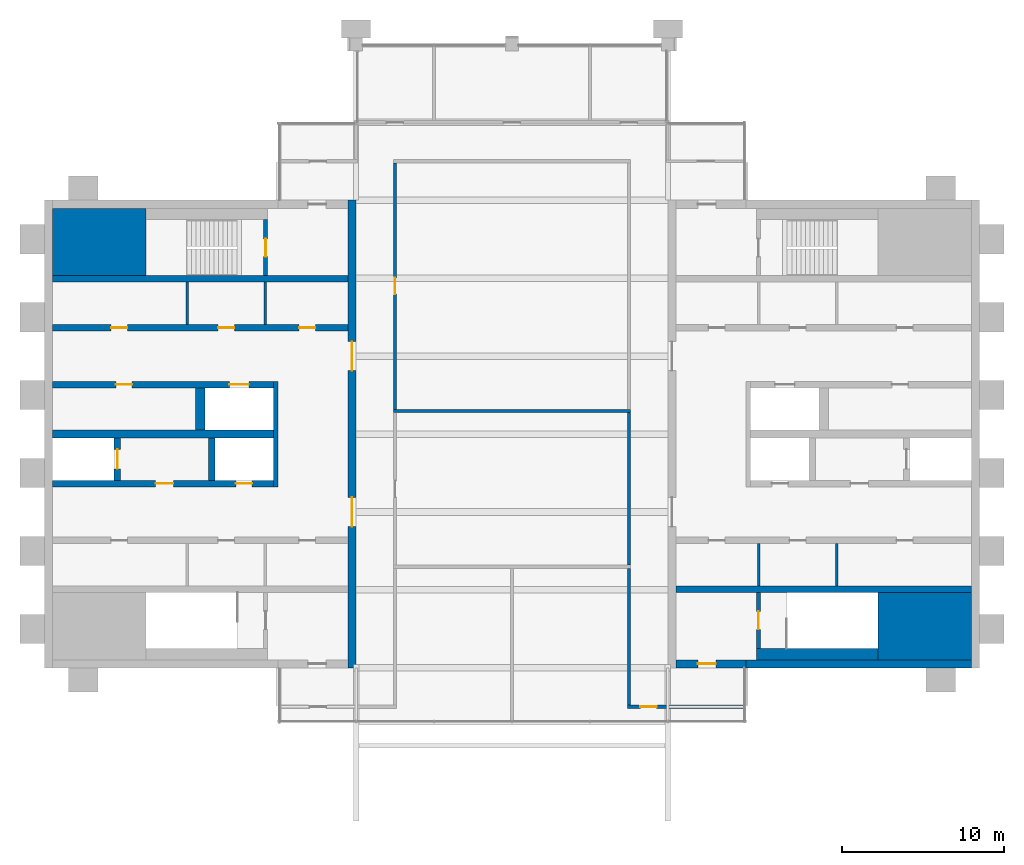
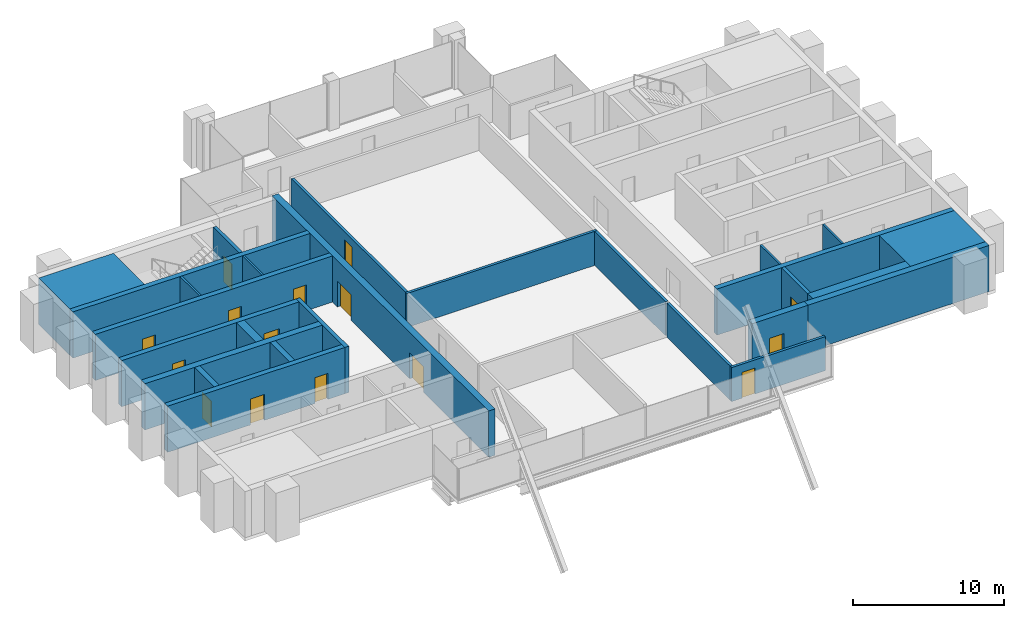
# One storey, part 8 of 11: 27 walls, 15 doors, 15 openings.
"""IFC4 building model written with IfcOpenShell, lengths in metres."""

from ifc_helpers import new_model, si_unit, direction, frame, frame_2d, origin, place, context, subcontext, project, spatial, rectangle, extrude, material, layer, layer_set, type_object, element, fill, save


model = new_model("IFC4")

# Units and contexts
model_context = context("Model", 3, precision=1e-05, world=origin(), true_north=direction((0.0, 1.0)))
body_context = subcontext(model_context, "Body", "Model", "MODEL_VIEW")
ifc_project = project(units=[si_unit("LENGTHUNIT", "METRE"), si_unit("AREAUNIT", "SQUARE_METRE"), si_unit("VOLUMEUNIT", "CUBIC_METRE"), si_unit("PLANEANGLEUNIT", "RADIAN"), si_unit("MASSUNIT", "GRAM", prefix="KILO")], contexts=[model_context])

# Site, building, storey
site_placement = place(None, origin())
site = spatial("IfcSite", under=ifc_project, at=site_placement, CompositionType="ELEMENT")
building_placement = place(site_placement, origin())
building = spatial("IfcBuilding", under=site, at=building_placement, Name="Baori Bourse Tower", CompositionType="ELEMENT")
storey_placement = place(building_placement, frame((0.0, 0.0, 366.300048828125)))
storey = spatial("IfcBuildingStorey", under=building, at=storey_placement, Name="L82", CompositionType="ELEMENT", Elevation=366.300048828125)

# Walls
ifc_material_1 = material(Name="Concrete f'c 40 MPa", Category="concrete")
wall_type_1 = type_object("IfcWallType", Name="Core corner block f'c 40", PredefinedType="SHEAR", material=ifc_material_1)
for number, where, z_axis, x_axis, name in (
    (1, (0.5, 35.824951171875, 0.0), (0.0, 0.0, 1.0), (1.0, 0.0, 0.0), "Core wall W23"),
    (2, (51.35009765625, 12.175048828125, 0.0), (0.0, 0.0, 1.0), (1.0, 0.0, 0.0), "Core wall E05"),
):
    element("IfcWall", number, at=place(storey_placement, frame(where, z_axis=z_axis, x_axis=x_axis)), inside=storey, type_object=wall_type_1, Name=name, PredefinedType="SHEAR", context=body_context, shape_type="SweptSolid", body=[
        extrude(rectangle(XDim=5.75, YDim=4.14990234375, at=frame_2d((2.875, 0.0))), origin(), (0.0, 0.0, 1.0), 3.75),
    ])
ifc_material_2 = material(Name="Blockwork partition", Category="masonry")
ifc_layer_1 = layer(ifc_material_2, 0.14990234375)
ifc_layer_set_1 = layer_set([ifc_layer_1], Name="Core partition 150")
wall_type_2 = type_object("IfcWallType", Name="Core partition 150", PredefinedType="PARTITIONING", material=ifc_layer_set_1)
for number, where, z_axis, x_axis, name in (
    (3, (8.800048828125, 30.75, 0.0), (0.0, 0.0, 1.0), (0.0, 1.0, 0.0), "Partition wall W20"),
    (4, (13.60009765625, 30.75, 0.0), (0.0, 0.0, 1.0), (0.0, 1.0, 0.0), "Partition wall W21"),
    (5, (48.800048828125, 14.64990234375, 0.0), (0.0, 0.0, 1.0), (0.0, 1.0, 0.0), "Partition wall E09"),
    (6, (44.0, 14.64990234375, 0.0), (0.0, 0.0, 1.0), (0.0, 1.0, 0.0), "Partition wall E10"),
):
    element("IfcWall", number, at=place(storey_placement, frame(where, z_axis=z_axis, x_axis=x_axis)), inside=storey, type_object=wall_type_2, Name=name, PredefinedType="PARTITIONING", context=body_context, shape_type="SweptSolid", body=[
        extrude(rectangle(XDim=2.60009765625, YDim=0.14990234375, at=frame_2d((1.300048828125, 0.0))), origin(), (0.0, 0.0, 1.0), 3.75),
    ])

# Wall, openings, doors
ifc_material_3 = material(Name="Concrete f'c 40 MPa", Category="concrete")
ifc_layer_2 = layer(ifc_material_3, 0.5)
ifc_layer_set_2 = layer_set([ifc_layer_2], Name="Core wall 500 f'c 40")
wall_type_3 = type_object("IfcWallType", Name="Core wall 500 f'c 40", PredefinedType="SHEAR", material=ifc_layer_set_2)
wall_1_placement = place(storey_placement, frame((18.949951171875, 38.39990234375, 0.0), z_axis=(0.0, 0.0, 1.0), x_axis=(0.0, -1.0, 0.0)))
wall_1 = element("IfcWall", 7, at=wall_1_placement, inside=storey, type_object=wall_type_3, Name="Core wall W04", PredefinedType="SHEAR", context=body_context, shape_type="SweptSolid", body=[
    extrude(rectangle(XDim=28.7998046875, YDim=0.5, at=frame_2d((14.39990234375, 0.0))), origin(), (0.0, 0.0, 1.0), 3.75),
])
opening_1_placement = place(wall_1_placement, frame((18.300048828125, 0.0, 0.0)))
opening_1 = element("IfcOpeningElement", 8, at=opening_1_placement, cuts=wall_1, Name="Opening L82-D107", PredefinedType="OPENING", context=body_context, shape_type="SweptSolid", body=[
    extrude(rectangle(XDim=1.800048828125, YDim=2.10009765625, at=frame_2d((0.89990234375, 1.050048828125))), frame((0.0, 0.260009765625, 0.0), z_axis=(0.0, -1.0, 0.0), x_axis=(1.0, 0.0, 0.0)), (0.0, 0.0, 1.0), 0.52001953125),
])
opening_2_placement = place(wall_1_placement, frame((8.699951171875, 0.0, 0.0)))
opening_2 = element("IfcOpeningElement", 9, at=opening_2_placement, cuts=wall_1, Name="Opening L82-D108", PredefinedType="OPENING", context=body_context, shape_type="SweptSolid", body=[
    extrude(rectangle(XDim=1.800048828125, YDim=2.10009765625, at=frame_2d((0.89990234375, 1.050048828125))), frame((0.0, 0.260009765625, 0.0), z_axis=(0.0, -1.0, 0.0), x_axis=(1.0, 0.0, 0.0)), (0.0, 0.0, 1.0), 0.52001953125),
])
ifc_material_4 = material(Name="Painted steel door", Category="steel")
door_type_1 = type_object("IfcDoorType", Name="Core lobby door 1800", OperationType="DOUBLE_DOOR_SINGLE_SWING", PredefinedType="DOOR", material=ifc_material_4)
door_1_placement = place(opening_1_placement, origin())
door_1 = element("IfcDoor", 10, at=door_1_placement, inside=storey, type_object=door_type_1, Name="Lobby door W L82", OperationType="DOUBLE_DOOR_SINGLE_SWING", OverallHeight=2.10009765625, OverallWidth=1.800048828125, PredefinedType="DOOR", context=body_context, shape_type="SweptSolid", body=[
    extrude(rectangle(XDim=1.800048828125, YDim=2.10009765625, at=frame_2d((0.89990234375, 1.050048828125))), frame((0.0, 0.02490234375, 0.0), z_axis=(0.0, -1.0, 0.0), x_axis=(1.0, 0.0, 0.0)), (0.0, 0.0, 1.0), 0.050048828125),
])
fill(opening_1, door_1)
door_2_placement = place(opening_2_placement, origin())
door_2 = element("IfcDoor", 11, at=door_2_placement, inside=storey, type_object=door_type_1, Name="Lobby door W L82", OperationType="DOUBLE_DOOR_SINGLE_SWING", OverallHeight=2.10009765625, OverallWidth=1.800048828125, PredefinedType="DOOR", context=body_context, shape_type="SweptSolid", body=[
    extrude(rectangle(XDim=1.800048828125, YDim=2.10009765625, at=frame_2d((0.89990234375, 1.050048828125))), frame((0.0, 0.02490234375, 0.0), z_axis=(0.0, -1.0, 0.0), x_axis=(1.0, 0.0, 0.0)), (0.0, 0.0, 1.0), 0.050048828125),
])
fill(opening_2, door_2)

# Wall
wall_2_placement = place(storey_placement, frame((57.10009765625, 9.85009765625, 0.0), z_axis=(0.0, 0.0, 1.0), x_axis=(-1.0, 0.0, 0.0)))
element("IfcWall", 12, at=wall_2_placement, inside=storey, type_object=wall_type_3, Name="Core wall E02", PredefinedType="SHEAR", context=body_context, shape_type="SweptSolid", body=[
    extrude(rectangle(XDim=13.900146484375, YDim=0.5, at=frame_2d((6.9501953125, 0.0))), origin(), (0.0, 0.0, 1.0), 3.75),
])

# Wall, opening, door
wall_3_placement = place(storey_placement, frame((43.199951171875, 9.85009765625, 0.0), z_axis=(0.0, 0.0, 1.0), x_axis=(-1.0, 0.0, 0.0)))
wall_3 = element("IfcWall", 13, at=wall_3_placement, inside=storey, type_object=wall_type_3, Name="Core wall E03", PredefinedType="SHEAR", context=body_context, shape_type="SweptSolid", body=[
    extrude(rectangle(XDim=4.300048828125, YDim=0.5, at=frame_2d((2.14990234375, 0.0))), origin(), (0.0, 0.0, 1.0), 3.75),
])
opening_3_placement = place(wall_3_placement, frame((1.85009765625, 0.0, 0.0)))
opening_3 = element("IfcOpeningElement", 14, at=opening_3_placement, cuts=wall_3, Name="Opening L82-D202", PredefinedType="OPENING", context=body_context, shape_type="SweptSolid", body=[
    extrude(rectangle(XDim=1.10009765625, YDim=2.10009765625, at=frame_2d((0.550048828125, 1.050048828125))), frame((0.0, 0.260009765625, 0.0), z_axis=(0.0, -1.0, 0.0), x_axis=(1.0, 0.0, 0.0)), (0.0, 0.0, 1.0), 0.52001953125),
])
ifc_material_5 = material(Name="Painted steel door", Category="steel")
door_type_2 = type_object("IfcDoorType", Name="Stair door 1100", OperationType="SINGLE_SWING_LEFT", PredefinedType="DOOR", material=ifc_material_5)
door_3_placement = place(opening_3_placement, origin())
door_3 = element("IfcDoor", 15, at=door_3_placement, inside=storey, type_object=door_type_2, Name="Stair vestibule door A E L82", OperationType="SINGLE_SWING_LEFT", OverallHeight=2.10009765625, OverallWidth=1.10009765625, PredefinedType="DOOR", context=body_context, shape_type="SweptSolid", body=[
    extrude(rectangle(XDim=1.10009765625, YDim=2.10009765625, at=frame_2d((0.550048828125, 1.050048828125))), frame((0.0, 0.02490234375, 0.0), z_axis=(0.0, -1.0, 0.0), x_axis=(1.0, 0.0, 0.0)), (0.0, 0.0, 1.0), 0.050048828125),
])
fill(opening_3, door_3)

ifc_material_6 = material(Name="Gypsum board partition")
ifc_layer_3 = layer(ifc_material_6, 0.199951171875)
ifc_layer_set_3 = layer_set([ifc_layer_3], Name="Plant room wall 200")
wall_type_4 = type_object("IfcWallType", Name="Plant room wall 200", PredefinedType="PARTITIONING", material=ifc_layer_set_3)
wall_4_placement = place(storey_placement, frame((35.89990234375, 7.199951171875, 0.0), z_axis=(0.0, 0.0, 1.0), x_axis=(1.0, 0.0, 0.0)))
wall_4 = element("IfcWall", 16, at=wall_4_placement, inside=storey, type_object=wall_type_4, Name="Partition", PredefinedType="PARTITIONING", context=body_context, shape_type="SweptSolid", body=[
    extrude(rectangle(XDim=7.2001953125, YDim=0.199951171875, at=frame_2d((3.60009765625, 0.0))), origin(), (0.0, 0.0, 1.0), 2.75927734375),
])
opening_4_placement = place(wall_4_placement, frame((0.800048828125, 0.0, 0.0)))
opening_4 = element("IfcOpeningElement", 17, at=opening_4_placement, cuts=wall_4, Name="Opening L82-D02", PredefinedType="OPENING", context=body_context, shape_type="SweptSolid", body=[
    extrude(rectangle(XDim=1.0, YDim=2.10009765625, at=frame_2d((0.5, 1.050048828125))), frame((0.0, 0.10986328125, 0.0), z_axis=(0.0, -1.0, 0.0), x_axis=(1.0, 0.0, 0.0)), (0.0, 0.0, 1.0), 0.219970703125),
])
ifc_material_7 = material(Name="Timber door leaf", Category="wood")
door_type_3 = type_object("IfcDoorType", Name="Door 1000 x 2100", OperationType="SINGLE_SWING_LEFT", PredefinedType="DOOR", material=ifc_material_7)
door_4_placement = place(opening_4_placement, origin())
door_4 = element("IfcDoor", 18, at=door_4_placement, inside=storey, type_object=door_type_3, Name="Door", OperationType="SINGLE_SWING_RIGHT", OverallHeight=2.10009765625, OverallWidth=1.0, PredefinedType="DOOR", context=body_context, shape_type="SweptSolid", body=[
    extrude(rectangle(XDim=1.0, YDim=2.10009765625, at=frame_2d((0.5, 1.050048828125))), frame((0.0, 0.02490234375, 0.0), z_axis=(0.0, -1.0, 0.0), x_axis=(1.0, 0.0, 0.0)), (0.0, 0.0, 1.0), 0.050048828125),
])
fill(opening_4, door_4)

# Wall
wall_5_placement = place(storey_placement, frame((21.5, 25.422119140625, 0.0), z_axis=(0.0, 0.0, 1.0), x_axis=(1.0, 0.0, 0.0)))
element("IfcWall", 19, at=wall_5_placement, inside=storey, type_object=wall_type_4, Name="Partition", PredefinedType="PARTITIONING", context=body_context, shape_type="SweptSolid", body=[
    extrude(rectangle(XDim=14.60009765625, YDim=0.199951171875, at=frame_2d((7.300048828125, 0.0))), origin(), (0.0, 0.0, 1.0), 2.75927734375),
])

# Wall, opening, door
wall_6_placement = place(storey_placement, frame((21.60009765625, 25.522216796875, 0.0), z_axis=(0.0, 0.0, 1.0), x_axis=(0.0, 1.0, 0.0)))
wall_6 = element("IfcWall", 20, at=wall_6_placement, inside=storey, type_object=wall_type_4, Name="Partition", PredefinedType="PARTITIONING", context=body_context, shape_type="SweptSolid", body=[
    extrude(rectangle(XDim=15.177734375, YDim=0.199951171875, at=frame_2d((7.5888671875, 0.0))), origin(), (0.0, 0.0, 1.0), 2.75927734375),
])
opening_5_placement = place(wall_6_placement, frame((7.0888671875, 0.0, 0.0)))
opening_5 = element("IfcOpeningElement", 21, at=opening_5_placement, cuts=wall_6, Name="Opening L82-D09", PredefinedType="OPENING", context=body_context, shape_type="SweptSolid", body=[
    extrude(rectangle(XDim=1.0, YDim=2.10009765625, at=frame_2d((0.5, 1.050048828125))), frame((0.0, 0.10986328125, 0.0), z_axis=(0.0, -1.0, 0.0), x_axis=(1.0, 0.0, 0.0)), (0.0, 0.0, 1.0), 0.219970703125),
])
door_5_placement = place(opening_5_placement, origin())
door_5 = element("IfcDoor", 22, at=door_5_placement, inside=storey, type_object=door_type_3, Name="Door", OperationType="SINGLE_SWING_LEFT", OverallHeight=2.10009765625, OverallWidth=1.0, PredefinedType="DOOR", context=body_context, shape_type="SweptSolid", body=[
    extrude(rectangle(XDim=1.0, YDim=2.10009765625, at=frame_2d((0.5, 1.050048828125))), frame((0.0, 0.02490234375, 0.0), z_axis=(0.0, -1.0, 0.0), x_axis=(1.0, 0.0, 0.0)), (0.0, 0.0, 1.0), 0.050048828125),
])
fill(opening_5, door_5)

# Walls
wall_7_placement = place(storey_placement, frame((36.0, 7.300048828125, 0.0), z_axis=(0.0, 0.0, 1.0), x_axis=(0.0, 1.0, 0.0)))
element("IfcWall", 23, at=wall_7_placement, inside=storey, type_object=wall_type_4, Name="Partition", PredefinedType="PARTITIONING", context=body_context, shape_type="SweptSolid", body=[
    extrude(rectangle(XDim=8.422119140625, YDim=0.199951171875, at=frame_2d((4.2109375, 0.0))), origin(), (0.0, 0.0, 1.0), 2.75927734375),
])
wall_8_placement = place(storey_placement, frame((36.0, 15.922119140625, 0.0), z_axis=(0.0, 0.0, 1.0), x_axis=(0.0, 1.0, 0.0)))
element("IfcWall", 24, at=wall_8_placement, inside=storey, type_object=wall_type_4, Name="Partition", PredefinedType="PARTITIONING", context=body_context, shape_type="SweptSolid", body=[
    extrude(rectangle(XDim=9.400146484375, YDim=0.199951171875, at=frame_2d((4.7001953125, 0.0))), origin(), (0.0, 0.0, 1.0), 2.75927734375),
])

# Wall, opening, door
ifc_material_8 = material(Name="Concrete f'c 40 MPa", Category="concrete")
ifc_layer_4 = layer(ifc_material_8, 0.25)
ifc_layer_set_4 = layer_set([ifc_layer_4], Name="Shaft wall 250 f'c 40")
wall_type_5 = type_object("IfcWallType", Name="Shaft wall 250 f'c 40", PredefinedType="SHEAR", material=ifc_layer_set_4)
wall_9_placement = place(storey_placement, frame((13.625, 33.75, 0.0), z_axis=(0.0, 0.0, 1.0), x_axis=(0.0, 1.0, 0.0)))
wall_9 = element("IfcWall", 25, at=wall_9_placement, inside=storey, type_object=wall_type_5, Name="Core wall W24", PredefinedType="SHEAR", context=body_context, shape_type="SweptSolid", body=[
    extrude(rectangle(XDim=3.449951171875, YDim=0.25, at=frame_2d((1.72509765625, 0.0))), origin(), (0.0, 0.0, 1.0), 3.75),
])
opening_6_placement = place(wall_9_placement, frame((1.175048828125, 0.0, 0.0)))
opening_6 = element("IfcOpeningElement", 26, at=opening_6_placement, cuts=wall_9, Name="Opening L82-D103", PredefinedType="OPENING", context=body_context, shape_type="SweptSolid", body=[
    extrude(rectangle(XDim=1.10009765625, YDim=2.10009765625, at=frame_2d((0.550048828125, 1.050048828125))), frame((0.0, 0.135009765625, 0.0), z_axis=(0.0, -1.0, 0.0), x_axis=(1.0, 0.0, 0.0)), (0.0, 0.0, 1.0), 0.27001953125),
])
door_6_placement = place(opening_6_placement, origin())
door_6 = element("IfcDoor", 27, at=door_6_placement, inside=storey, type_object=door_type_2, Name="Stair door B W L82", OperationType="SINGLE_SWING_LEFT", OverallHeight=2.10009765625, OverallWidth=1.10009765625, PredefinedType="DOOR", context=body_context, shape_type="SweptSolid", body=[
    extrude(rectangle(XDim=1.10009765625, YDim=2.10009765625, at=frame_2d((0.550048828125, 1.050048828125))), frame((0.0, 0.02490234375, 0.0), z_axis=(0.0, -1.0, 0.0), x_axis=(1.0, 0.0, 0.0)), (0.0, 0.0, 1.0), 0.050048828125),
])
fill(opening_6, door_6)

wall_10_placement = place(storey_placement, frame((43.97509765625, 10.800048828125, 0.0), z_axis=(0.0, 0.0, 1.0), x_axis=(0.0, 1.0, 0.0)))
wall_10 = element("IfcWall", 28, at=wall_10_placement, inside=storey, type_object=wall_type_5, Name="Core wall E07", PredefinedType="SHEAR", context=body_context, shape_type="SweptSolid", body=[
    extrude(rectangle(XDim=3.449951171875, YDim=0.25, at=frame_2d((1.72509765625, 0.0))), origin(), (0.0, 0.0, 1.0), 3.75),
])
opening_7_placement = place(wall_10_placement, frame((1.175048828125, 0.0, 0.0)))
opening_7 = element("IfcOpeningElement", 29, at=opening_7_placement, cuts=wall_10, Name="Opening L82-D201", PredefinedType="OPENING", context=body_context, shape_type="SweptSolid", body=[
    extrude(rectangle(XDim=1.10009765625, YDim=2.10009765625, at=frame_2d((0.550048828125, 1.050048828125))), frame((0.0, 0.135009765625, 0.0), z_axis=(0.0, -1.0, 0.0), x_axis=(1.0, 0.0, 0.0)), (0.0, 0.0, 1.0), 0.27001953125),
])
door_7_placement = place(opening_7_placement, origin())
door_7 = element("IfcDoor", 30, at=door_7_placement, inside=storey, type_object=door_type_2, Name="Stair door A E L82", OperationType="SINGLE_SWING_LEFT", OverallHeight=2.10009765625, OverallWidth=1.10009765625, PredefinedType="DOOR", context=body_context, shape_type="SweptSolid", body=[
    extrude(rectangle(XDim=1.10009765625, YDim=2.10009765625, at=frame_2d((0.550048828125, 1.050048828125))), frame((0.0, 0.02490234375, 0.0), z_axis=(0.0, -1.0, 0.0), x_axis=(1.0, 0.0, 0.0)), (0.0, 0.0, 1.0), 0.050048828125),
])
fill(opening_7, door_7)

# Wall
ifc_material_9 = material(Name="Concrete f'c 40 MPa", Category="concrete")
ifc_layer_5 = layer(ifc_material_9, 0.300048828125)
ifc_layer_set_5 = layer_set([ifc_layer_5], Name="Shaft wall 300 f'c 40")
wall_type_6 = type_object("IfcWallType", Name="Shaft wall 300 f'c 40", PredefinedType="SHEAR", material=ifc_layer_set_5)
wall_11_placement = place(storey_placement, frame((14.25, 20.75, 0.0), z_axis=(0.0, 0.0, 1.0), x_axis=(0.0, 1.0, 0.0)))
element("IfcWall", 31, at=wall_11_placement, inside=storey, type_object=wall_type_6, Name="Core wall W13", PredefinedType="SHEAR", context=body_context, shape_type="SweptSolid", body=[
    extrude(rectangle(XDim=6.5, YDim=0.300048828125, at=frame_2d((3.25, 0.0))), origin(), (0.0, 0.0, 1.0), 3.75),
])

# Wall, openings, doors
ifc_material_10 = material(Name="Concrete f'c 40 MPa", Category="concrete")
ifc_layer_6 = layer(ifc_material_10, 0.39990234375)
ifc_layer_set_6 = layer_set([ifc_layer_6], Name="Shaft wall 400 f'c 40")
wall_type_7 = type_object("IfcWallType", Name="Shaft wall 400 f'c 40", PredefinedType="SHEAR", material=ifc_layer_set_6)
wall_12_placement = place(storey_placement, frame((0.5, 20.949951171875, 0.0), z_axis=(0.0, 0.0, 1.0), x_axis=(1.0, 0.0, 0.0)))
wall_12 = element("IfcWall", 32, at=wall_12_placement, inside=storey, type_object=wall_type_7, Name="Core wall W12", PredefinedType="SHEAR", context=body_context, shape_type="SweptSolid", body=[
    extrude(rectangle(XDim=13.60009765625, YDim=0.39990234375, at=frame_2d((6.800048828125, 0.0))), origin(), (0.0, 0.0, 1.0), 3.75),
])
opening_8_placement = place(wall_12_placement, frame((6.35009765625, 0.0, 0.0)))
opening_8 = element("IfcOpeningElement", 33, at=opening_8_placement, cuts=wall_12, Name="Opening L82-D105", PredefinedType="OPENING", context=body_context, shape_type="SweptSolid", body=[
    extrude(rectangle(XDim=1.10009765625, YDim=2.10009765625, at=frame_2d((0.550048828125, 1.050048828125))), frame((0.0, 0.2099609375, 0.0), z_axis=(0.0, -1.0, 0.0), x_axis=(1.0, 0.0, 0.0)), (0.0, 0.0, 1.0), 0.419921875),
])
opening_9_placement = place(wall_12_placement, frame((11.300048828125, 0.0, 0.0)))
opening_9 = element("IfcOpeningElement", 34, at=opening_9_placement, cuts=wall_12, Name="Opening L82-D106", PredefinedType="OPENING", context=body_context, shape_type="SweptSolid", body=[
    extrude(rectangle(XDim=1.0, YDim=2.10009765625, at=frame_2d((0.5, 1.050048828125))), frame((0.0, 0.2099609375, 0.0), z_axis=(0.0, -1.0, 0.0), x_axis=(1.0, 0.0, 0.0)), (0.0, 0.0, 1.0), 0.419921875),
])
ifc_material_11 = material(Name="Painted steel door", Category="steel")
door_type_4 = type_object("IfcDoorType", Name="Lobby door 1100", OperationType="SINGLE_SWING_LEFT", PredefinedType="DOOR", material=ifc_material_11)
door_8_placement = place(opening_8_placement, origin())
door_8 = element("IfcDoor", 35, at=door_8_placement, inside=storey, type_object=door_type_4, Name="Firefighting lobby door W L82", OperationType="SINGLE_SWING_LEFT", OverallHeight=2.10009765625, OverallWidth=1.10009765625, PredefinedType="DOOR", context=body_context, shape_type="SweptSolid", body=[
    extrude(rectangle(XDim=1.10009765625, YDim=2.10009765625, at=frame_2d((0.550048828125, 1.050048828125))), frame((0.0, 0.02490234375, 0.0), z_axis=(0.0, -1.0, 0.0), x_axis=(1.0, 0.0, 0.0)), (0.0, 0.0, 1.0), 0.050048828125),
])
fill(opening_8, door_8)
ifc_material_12 = material(Name="Painted steel door", Category="steel")
door_type_5 = type_object("IfcDoorType", Name="Shaft door 1000", OperationType="SINGLE_SWING_LEFT", PredefinedType="DOOR", material=ifc_material_12)
door_9_placement = place(opening_9_placement, origin())
door_9 = element("IfcDoor", 36, at=door_9_placement, inside=storey, type_object=door_type_5, Name="Riser room door W L82", OperationType="SINGLE_SWING_LEFT", OverallHeight=2.10009765625, OverallWidth=1.0, PredefinedType="DOOR", context=body_context, shape_type="SweptSolid", body=[
    extrude(rectangle(XDim=1.0, YDim=2.10009765625, at=frame_2d((0.5, 1.050048828125))), frame((0.0, 0.02490234375, 0.0), z_axis=(0.0, -1.0, 0.0), x_axis=(1.0, 0.0, 0.0)), (0.0, 0.0, 1.0), 0.050048828125),
])
fill(opening_9, door_9)

# Wall, opening, door
wall_13_placement = place(storey_placement, frame((4.5, 21.14990234375, 0.0), z_axis=(0.0, 0.0, 1.0), x_axis=(0.0, 1.0, 0.0)))
wall_13 = element("IfcWall", 37, at=wall_13_placement, inside=storey, type_object=wall_type_7, Name="Core wall W14", PredefinedType="SHEAR", context=body_context, shape_type="SweptSolid", body=[
    extrude(rectangle(XDim=2.60009765625, YDim=0.39990234375, at=frame_2d((1.300048828125, 0.0))), origin(), (0.0, 0.0, 1.0), 3.75),
])
opening_10_placement = place(wall_13_placement, frame((0.699951171875, 0.0, 0.0)))
opening_10 = element("IfcOpeningElement", 38, at=opening_10_placement, cuts=wall_13, Name="Opening L82-D117", PredefinedType="OPENING", context=body_context, shape_type="SweptSolid", body=[
    extrude(rectangle(XDim=1.199951171875, YDim=2.10009765625, at=frame_2d((0.60009765625, 1.050048828125))), frame((0.0, 0.2099609375, 0.0), z_axis=(0.0, -1.0, 0.0), x_axis=(1.0, 0.0, 0.0)), (0.0, 0.0, 1.0), 0.419921875),
])
ifc_material_13 = material(Name="Stainless steel door", Category="steel")
door_type_6 = type_object("IfcDoorType", Name="Lift landing door", OperationType="DOUBLE_DOOR_SLIDING", PredefinedType="DOOR", material=ifc_material_13)
door_10_placement = place(opening_10_placement, origin())
door_10 = element("IfcDoor", 39, at=door_10_placement, inside=storey, type_object=door_type_6, Name="Lift landing door FF1 W L82", OperationType="DOUBLE_DOOR_SLIDING", OverallHeight=2.10009765625, OverallWidth=1.199951171875, PredefinedType="DOOR", context=body_context, shape_type="SweptSolid", body=[
    extrude(rectangle(XDim=1.199951171875, YDim=2.10009765625, at=frame_2d((0.60009765625, 1.050048828125))), frame((0.0, 0.02490234375, 0.0), z_axis=(0.0, -1.0, 0.0), x_axis=(1.0, 0.0, 0.0)), (0.0, 0.0, 1.0), 0.050048828125),
])
fill(opening_10, door_10)

# Wall
wall_14_placement = place(storey_placement, frame((10.300048828125, 21.14990234375, 0.0), z_axis=(0.0, 0.0, 1.0), x_axis=(0.0, 1.0, 0.0)))
element("IfcWall", 40, at=wall_14_placement, inside=storey, type_object=wall_type_7, Name="Core wall W15", PredefinedType="SHEAR", context=body_context, shape_type="SweptSolid", body=[
    extrude(rectangle(XDim=2.60009765625, YDim=0.39990234375, at=frame_2d((1.300048828125, 0.0))), origin(), (0.0, 0.0, 1.0), 3.75),
])

# Wall, openings, doors
wall_15_placement = place(storey_placement, frame((0.5, 27.050048828125, 0.0), z_axis=(0.0, 0.0, 1.0), x_axis=(1.0, 0.0, 0.0)))
wall_15 = element("IfcWall", 41, at=wall_15_placement, inside=storey, type_object=wall_type_7, Name="Core wall W18", PredefinedType="SHEAR", context=body_context, shape_type="SweptSolid", body=[
    extrude(rectangle(XDim=13.60009765625, YDim=0.39990234375, at=frame_2d((6.800048828125, 0.0))), origin(), (0.0, 0.0, 1.0), 3.75),
])
opening_11_placement = place(wall_15_placement, frame((3.89990234375, 0.0, 0.0)))
opening_11 = element("IfcOpeningElement", 42, at=opening_11_placement, cuts=wall_15, Name="Opening L82-D115", PredefinedType="OPENING", context=body_context, shape_type="SweptSolid", body=[
    extrude(rectangle(XDim=1.0, YDim=2.10009765625, at=frame_2d((0.5, 1.050048828125))), frame((0.0, 0.2099609375, 0.0), z_axis=(0.0, -1.0, 0.0), x_axis=(1.0, 0.0, 0.0)), (0.0, 0.0, 1.0), 0.419921875),
])
opening_12_placement = place(wall_15_placement, frame((10.89990234375, 0.0, 0.0)))
opening_12 = element("IfcOpeningElement", 43, at=opening_12_placement, cuts=wall_15, Name="Opening L82-D116", PredefinedType="OPENING", context=body_context, shape_type="SweptSolid", body=[
    extrude(rectangle(XDim=1.199951171875, YDim=2.10009765625, at=frame_2d((0.60009765625, 1.050048828125))), frame((0.0, 0.2099609375, 0.0), z_axis=(0.0, -1.0, 0.0), x_axis=(1.0, 0.0, 0.0)), (0.0, 0.0, 1.0), 0.419921875),
])
door_11_placement = place(opening_12_placement, origin())
door_11 = element("IfcDoor", 44, at=door_11_placement, inside=storey, type_object=door_type_6, Name="Lift landing door SV1 W L82", OperationType="DOUBLE_DOOR_SLIDING", OverallHeight=2.10009765625, OverallWidth=1.199951171875, PredefinedType="DOOR", context=body_context, shape_type="SweptSolid", body=[
    extrude(rectangle(XDim=1.199951171875, YDim=2.10009765625, at=frame_2d((0.60009765625, 1.050048828125))), frame((0.0, 0.02490234375, 0.0), z_axis=(0.0, -1.0, 0.0), x_axis=(1.0, 0.0, 0.0)), (0.0, 0.0, 1.0), 0.050048828125),
])
fill(opening_12, door_11)
ifc_material_14 = material(Name="Painted steel door", Category="steel")
door_type_7 = type_object("IfcDoorType", Name="Plant room door 1000", OperationType="SINGLE_SWING_LEFT", PredefinedType="DOOR", material=ifc_material_14)
door_12_placement = place(opening_11_placement, origin())
door_12 = element("IfcDoor", 45, at=door_12_placement, inside=storey, type_object=door_type_7, Name="Plant Room door W L82", OperationType="SINGLE_SWING_LEFT", OverallHeight=2.10009765625, OverallWidth=1.0, PredefinedType="DOOR", context=body_context, shape_type="SweptSolid", body=[
    extrude(rectangle(XDim=1.0, YDim=2.10009765625, at=frame_2d((0.5, 1.050048828125))), frame((0.0, 0.02490234375, 0.0), z_axis=(0.0, -1.0, 0.0), x_axis=(1.0, 0.0, 0.0)), (0.0, 0.0, 1.0), 0.050048828125),
])
fill(opening_11, door_12)

wall_16_placement = place(storey_placement, frame((0.5, 30.550048828125, 0.0), z_axis=(0.0, 0.0, 1.0), x_axis=(1.0, 0.0, 0.0)))
wall_16 = element("IfcWall", 46, at=wall_16_placement, inside=storey, type_object=wall_type_7, Name="Core wall W19", PredefinedType="SHEAR", context=body_context, shape_type="SweptSolid", body=[
    extrude(rectangle(XDim=18.199951171875, YDim=0.39990234375, at=frame_2d((9.10009765625, 0.0))), origin(), (0.0, 0.0, 1.0), 3.75),
])
opening_13_placement = place(wall_16_placement, frame((3.612548828125, 0.0, 0.0)))
opening_13 = element("IfcOpeningElement", 47, at=opening_13_placement, cuts=wall_16, Name="Opening L82-D109", PredefinedType="OPENING", context=body_context, shape_type="SweptSolid", body=[
    extrude(rectangle(XDim=1.0, YDim=2.10009765625, at=frame_2d((0.5, 1.050048828125))), frame((0.0, 0.2099609375, 0.0), z_axis=(0.0, -1.0, 0.0), x_axis=(1.0, 0.0, 0.0)), (0.0, 0.0, 1.0), 0.419921875),
])
opening_14_placement = place(wall_16_placement, frame((10.199951171875, 0.0, 0.0)))
opening_14 = element("IfcOpeningElement", 48, at=opening_14_placement, cuts=wall_16, Name="Opening L82-D110", PredefinedType="OPENING", context=body_context, shape_type="SweptSolid", body=[
    extrude(rectangle(XDim=1.0, YDim=2.10009765625, at=frame_2d((0.5, 1.050048828125))), frame((0.0, 0.2099609375, 0.0), z_axis=(0.0, -1.0, 0.0), x_axis=(1.0, 0.0, 0.0)), (0.0, 0.0, 1.0), 0.419921875),
])
opening_15_placement = place(wall_16_placement, frame((15.1875, 0.0, 0.0)))
opening_15 = element("IfcOpeningElement", 49, at=opening_15_placement, cuts=wall_16, Name="Opening L82-D111", PredefinedType="OPENING", context=body_context, shape_type="SweptSolid", body=[
    extrude(rectangle(XDim=1.0, YDim=2.10009765625, at=frame_2d((0.5, 1.050048828125))), frame((0.0, 0.2099609375, 0.0), z_axis=(0.0, -1.0, 0.0), x_axis=(1.0, 0.0, 0.0)), (0.0, 0.0, 1.0), 0.419921875),
])
door_13_placement = place(opening_13_placement, origin())
door_13 = element("IfcDoor", 50, at=door_13_placement, inside=storey, type_object=door_type_7, Name="Air Handling Fan Room door W L82", OperationType="SINGLE_SWING_LEFT", OverallHeight=2.10009765625, OverallWidth=1.0, PredefinedType="DOOR", context=body_context, shape_type="SweptSolid", body=[
    extrude(rectangle(XDim=1.0, YDim=2.10009765625, at=frame_2d((0.5, 1.050048828125))), frame((0.0, 0.02490234375, 0.0), z_axis=(0.0, -1.0, 0.0), x_axis=(1.0, 0.0, 0.0)), (0.0, 0.0, 1.0), 0.050048828125),
])
fill(opening_13, door_13)
door_14_placement = place(opening_14_placement, origin())
door_14 = element("IfcDoor", 51, at=door_14_placement, inside=storey, type_object=door_type_7, Name="Electrical Room door W L82", OperationType="SINGLE_SWING_LEFT", OverallHeight=2.10009765625, OverallWidth=1.0, PredefinedType="DOOR", context=body_context, shape_type="SweptSolid", body=[
    extrude(rectangle(XDim=1.0, YDim=2.10009765625, at=frame_2d((0.5, 1.050048828125))), frame((0.0, 0.02490234375, 0.0), z_axis=(0.0, -1.0, 0.0), x_axis=(1.0, 0.0, 0.0)), (0.0, 0.0, 1.0), 0.050048828125),
])
fill(opening_14, door_14)
door_15_placement = place(opening_15_placement, origin())
door_15 = element("IfcDoor", 52, at=door_15_placement, inside=storey, type_object=door_type_7, Name="Mechanical Room door W L82", OperationType="SINGLE_SWING_LEFT", OverallHeight=2.10009765625, OverallWidth=1.0, PredefinedType="DOOR", context=body_context, shape_type="SweptSolid", body=[
    extrude(rectangle(XDim=1.0, YDim=2.10009765625, at=frame_2d((0.5, 1.050048828125))), frame((0.0, 0.02490234375, 0.0), z_axis=(0.0, -1.0, 0.0), x_axis=(1.0, 0.0, 0.0)), (0.0, 0.0, 1.0), 0.050048828125),
])
fill(opening_15, door_15)

# Walls
wall_17_placement = place(storey_placement, frame((0.5, 33.550048828125, 0.0), z_axis=(0.0, 0.0, 1.0), x_axis=(1.0, 0.0, 0.0)))
element("IfcWall", 53, at=wall_17_placement, inside=storey, type_object=wall_type_7, Name="Core wall W22", PredefinedType="SHEAR", context=body_context, shape_type="SweptSolid", body=[
    extrude(rectangle(XDim=18.199951171875, YDim=0.39990234375, at=frame_2d((9.10009765625, 0.0))), origin(), (0.0, 0.0, 1.0), 3.75),
])
wall_18_placement = place(storey_placement, frame((38.89990234375, 14.449951171875, 0.0), z_axis=(0.0, 0.0, 1.0), x_axis=(1.0, 0.0, 0.0)))
element("IfcWall", 54, at=wall_18_placement, inside=storey, type_object=wall_type_7, Name="Core wall E08", PredefinedType="SHEAR", context=body_context, shape_type="SweptSolid", body=[
    extrude(rectangle(XDim=18.2001953125, YDim=0.39990234375, at=frame_2d((9.10009765625, 0.0))), origin(), (0.0, 0.0, 1.0), 3.75),
])
ifc_material_15 = material(Name="Concrete f'c 40 MPa", Category="concrete")
ifc_layer_7 = layer(ifc_material_15, 0.5)
ifc_layer_set_7 = layer_set([ifc_layer_7], Name="Shaft wall 500 f'c 40")
wall_type_8 = type_object("IfcWallType", Name="Shaft wall 500 f'c 40", PredefinedType="SHEAR", material=ifc_layer_set_7)
wall_19_placement = place(storey_placement, frame((0.5, 24.0, 0.0), z_axis=(0.0, 0.0, 1.0), x_axis=(1.0, 0.0, 0.0)))
element("IfcWall", 55, at=wall_19_placement, inside=storey, type_object=wall_type_8, Name="Core wall W16", PredefinedType="SHEAR", context=body_context, shape_type="SweptSolid", body=[
    extrude(rectangle(XDim=13.60009765625, YDim=0.5, at=frame_2d((6.800048828125, 0.0))), origin(), (0.0, 0.0, 1.0), 3.75),
])
ifc_material_16 = material(Name="Concrete f'c 40 MPa", Category="concrete")
ifc_layer_8 = layer(ifc_material_16, 0.60009765625)
ifc_layer_set_8 = layer_set([ifc_layer_8], Name="Shaft wall 600 f'c 40")
wall_type_9 = type_object("IfcWallType", Name="Shaft wall 600 f'c 40", PredefinedType="SHEAR", material=ifc_layer_set_8)
wall_20_placement = place(storey_placement, frame((9.60009765625, 24.25, 0.0), z_axis=(0.0, 0.0, 1.0), x_axis=(0.0, 1.0, 0.0)))
element("IfcWall", 56, at=wall_20_placement, inside=storey, type_object=wall_type_9, Name="Core wall W17", PredefinedType="SHEAR", context=body_context, shape_type="SweptSolid", body=[
    extrude(rectangle(XDim=2.60009765625, YDim=0.60009765625, at=frame_2d((1.300048828125, 0.0))), origin(), (0.0, 0.0, 1.0), 3.75),
])
ifc_material_17 = material(Name="Concrete f'c 40 MPa", Category="concrete")
ifc_layer_9 = layer(ifc_material_17, 0.699951171875)
ifc_layer_set_9 = layer_set([ifc_layer_9], Name="Shaft wall 700 f'c 40")
wall_type_10 = type_object("IfcWallType", Name="Shaft wall 700 f'c 40", PredefinedType="SHEAR", material=ifc_layer_set_9)
wall_21_placement = place(storey_placement, frame((43.85009765625, 10.449951171875, 0.0), z_axis=(0.0, 0.0, 1.0), x_axis=(1.0, 0.0, 0.0)))
element("IfcWall", 57, at=wall_21_placement, inside=storey, type_object=wall_type_10, Name="Core wall E06", PredefinedType="SHEAR", context=body_context, shape_type="SweptSolid", body=[
    extrude(rectangle(XDim=7.5, YDim=0.699951171875, at=frame_2d((3.75, 0.0))), origin(), (0.0, 0.0, 1.0), 3.75),
])

save(model, "model.ifc")
